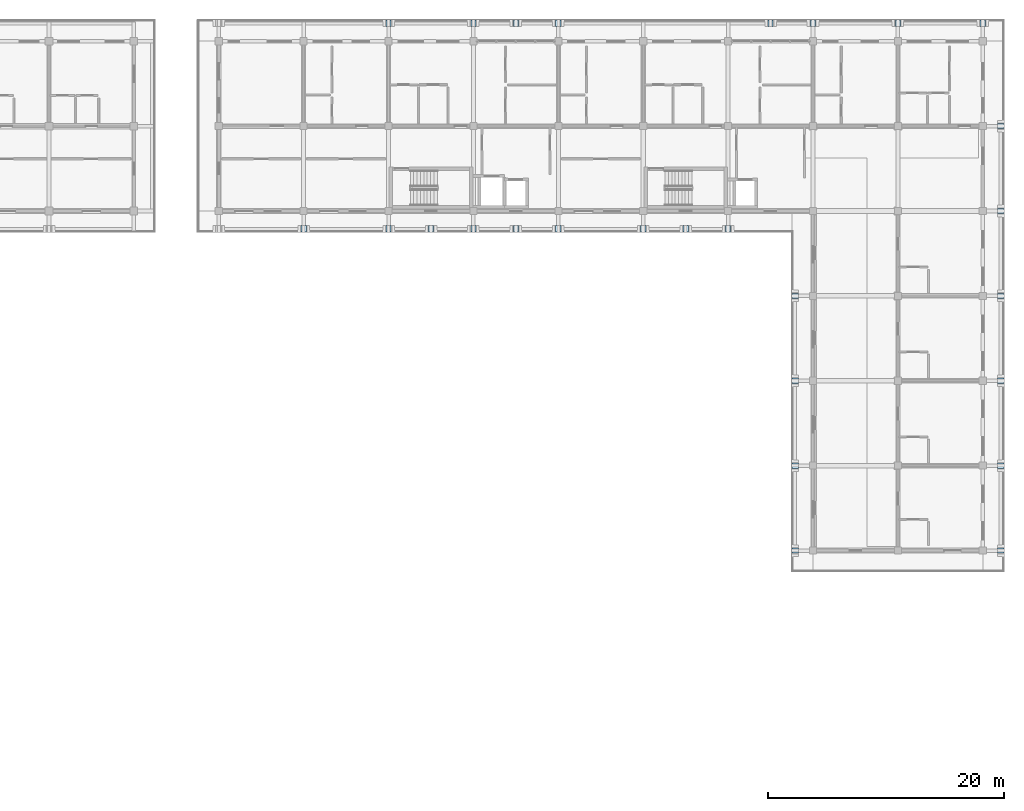
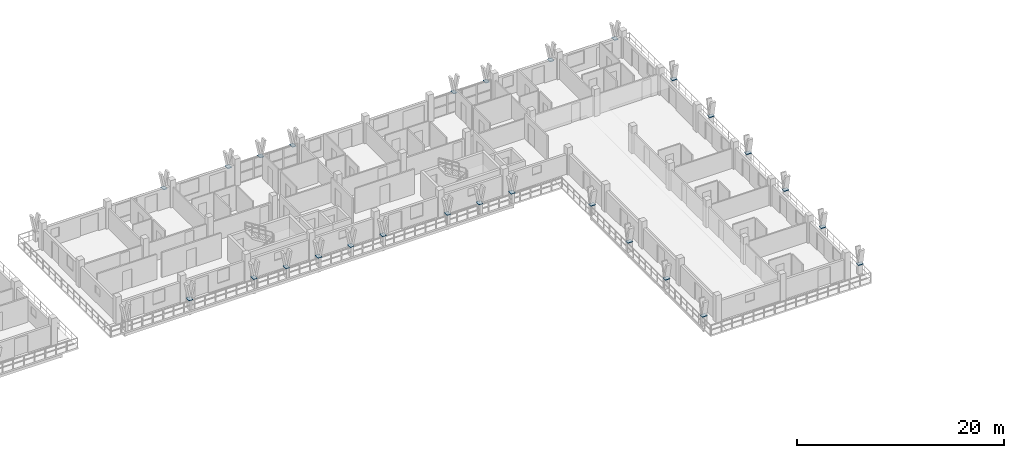
# One storey, part 39 of 78: 27 plates.
"""IFC4 building model written with IfcOpenShell, lengths in metres."""

from ifc_helpers import new_model, si_unit, direction, frame, origin, origin_2d, place, context, subcontext, project, spatial, rectangle, extrude, material, layer, layer_set, type_object, element, save


model = new_model("IFC4")

# Units and contexts
model_context = context("Model", 3, precision=1e-05, world=origin(), true_north=direction((0.0, 1.0)))
body_context = subcontext(model_context, "Body", "Model", "MODEL_VIEW")
ifc_project = project(units=[si_unit("LENGTHUNIT", "METRE"), si_unit("AREAUNIT", "SQUARE_METRE"), si_unit("VOLUMEUNIT", "CUBIC_METRE"), si_unit("PLANEANGLEUNIT", "RADIAN"), si_unit("MASSUNIT", "GRAM", prefix="KILO")], contexts=[model_context])

# Site, building, storey
site_placement = place(None, origin())
site = spatial("IfcSite", under=ifc_project, at=site_placement, CompositionType="ELEMENT")
building_placement = place(site_placement, origin())
building = spatial("IfcBuilding", under=site, at=building_placement, Name="Suanplinth Sawtooth Commons", CompositionType="ELEMENT")
storey_placement = place(building_placement, frame((0.0, 0.0, 15.39990234375)))
storey = spatial("IfcBuildingStorey", under=building, at=storey_placement, Name="L04", CompositionType="ELEMENT", Elevation=15.39990234375)

# Plates
ifc_material = material(Name="Pigmented precast concrete C40/50", Category="concrete")
ifc_layer = layer(ifc_material, 0.06005859375, Name="Precast Y-blade bifurcation node plate 60mm")
ifc_layer_set = layer_set([ifc_layer], Name="Pigmented precast concrete C40/50")
plate_type = type_object("IfcPlateType", Name="PL-04", PredefinedType="USERDEFINED", material=ifc_layer_set)
for number, where, z_axis, x_axis, name in (
    (1, (136.800048828125, 123.919921875, 1.1201171875), (0.0, 0.0, 1.0), (1.0, 0.0, 0.0), "Y-Blade Node Plate L04-B-N-02"),
    (2, (144.0, 123.919921875, 1.1201171875), (0.0, 0.0, 1.0), (1.0, 0.0, 0.0), "Y-Blade Node Plate L04-B-N-03"),
    (3, (147.60009765625, 123.919921875, 1.1201171875), (0.0, 0.0, 1.0), (1.0, 0.0, 0.0), "Y-Blade Node Plate L04-B-N-04"),
    (4, (151.199951171875, 123.919921875, 1.1201171875), (0.0, 0.0, 1.0), (1.0, 0.0, 0.0), "Y-Blade Node Plate L04-B-N-05"),
    (5, (169.199951171875, 123.919921875, 1.1201171875), (0.0, 0.0, 1.0), (1.0, 0.0, 0.0), "Y-Blade Node Plate L04-B-N-06"),
    (6, (172.800048828125, 123.919921875, 1.1201171875), (0.0, 0.0, 1.0), (1.0, 0.0, 0.0), "Y-Blade Node Plate L04-B-N-07"),
    (7, (180.0, 123.919921875, 1.1201171875), (0.0, 0.0, 1.0), (1.0, 0.0, 0.0), "Y-Blade Node Plate L04-B-N-08"),
    (8, (187.199951171875, 123.919921875, 1.1201171875), (0.0, 0.0, 1.0), (1.0, 0.0, 0.0), "Y-Blade Node Plate L04-B-N-09"),
    (9, (188.719970703125, 79.199951171875, 1.1201171875), (0.0, 0.0, 1.0), (0.0, 1.0, 0.0), "Y-Blade Node Plate L04-B-E-10"),
    (10, (188.719970703125, 86.39990234375, 1.1201171875), (0.0, 0.0, 1.0), (0.0, 1.0, 0.0), "Y-Blade Node Plate L04-B-E-11"),
    (11, (188.719970703125, 93.60009765625, 1.1201171875), (0.0, 0.0, 1.0), (0.0, 1.0, 0.0), "Y-Blade Node Plate L04-B-E-12"),
    (12, (188.719970703125, 100.800048828125, 1.1201171875), (0.0, 0.0, 1.0), (0.0, 1.0, 0.0), "Y-Blade Node Plate L04-B-E-13"),
    (13, (188.719970703125, 108.0, 1.1201171875), (0.0, 0.0, 1.0), (0.0, 1.0, 0.0), "Y-Blade Node Plate L04-B-E-14"),
    (14, (188.719970703125, 115.199951171875, 1.1201171875), (0.0, 0.0, 1.0), (0.0, 1.0, 0.0), "Y-Blade Node Plate L04-B-E-15"),
    (15, (129.60009765625, 106.47998046875, 1.1201171875), (0.0, 0.0, 1.0), (1.0, 0.0, 0.0), "Y-Blade Node Plate L04-B-SC-17"),
    (16, (136.800048828125, 106.47998046875, 1.1201171875), (0.0, 0.0, 1.0), (1.0, 0.0, 0.0), "Y-Blade Node Plate L04-B-SC-18"),
    (17, (140.39990234375, 106.47998046875, 1.1201171875), (0.0, 0.0, 1.0), (1.0, 0.0, 0.0), "Y-Blade Node Plate L04-B-SC-19"),
    (18, (144.0, 106.47998046875, 1.1201171875), (0.0, 0.0, 1.0), (1.0, 0.0, 0.0), "Y-Blade Node Plate L04-B-SC-20"),
    (19, (147.60009765625, 106.47998046875, 1.1201171875), (0.0, 0.0, 1.0), (1.0, 0.0, 0.0), "Y-Blade Node Plate L04-B-SC-21"),
    (20, (151.199951171875, 106.47998046875, 1.1201171875), (0.0, 0.0, 1.0), (1.0, 0.0, 0.0), "Y-Blade Node Plate L04-B-SC-22"),
    (21, (158.39990234375, 106.47998046875, 1.1201171875), (0.0, 0.0, 1.0), (1.0, 0.0, 0.0), "Y-Blade Node Plate L04-B-SC-23"),
    (22, (162.0, 106.47998046875, 1.1201171875), (0.0, 0.0, 1.0), (1.0, 0.0, 0.0), "Y-Blade Node Plate L04-B-SC-24"),
    (23, (165.60009765625, 106.47998046875, 1.1201171875), (0.0, 0.0, 1.0), (1.0, 0.0, 0.0), "Y-Blade Node Plate L04-B-SC-25"),
    (24, (171.280029296875, 79.199951171875, 1.1201171875), (0.0, 0.0, 1.0), (0.0, 1.0, 0.0), "Y-Blade Node Plate L04-B-WC-26"),
    (25, (171.280029296875, 86.39990234375, 1.1201171875), (0.0, 0.0, 1.0), (0.0, 1.0, 0.0), "Y-Blade Node Plate L04-B-WC-27"),
    (26, (171.280029296875, 93.60009765625, 1.1201171875), (0.0, 0.0, 1.0), (0.0, 1.0, 0.0), "Y-Blade Node Plate L04-B-WC-28"),
    (27, (171.280029296875, 100.800048828125, 1.1201171875), (0.0, 0.0, 1.0), (0.0, 1.0, 0.0), "Y-Blade Node Plate L04-B-WC-29"),
):
    element("IfcPlate", number, at=place(storey_placement, frame(where, z_axis=z_axis, x_axis=x_axis)), inside=storey, type_object=plate_type, Name=name, ObjectType="GUSSET PLATE", PredefinedType="USERDEFINED", context=body_context, shape_type="SweptSolid", body=[
        extrude(rectangle(XDim=0.43994140625, YDim=0.550048828125, at=origin_2d()), origin(), (0.0, 0.0, 1.0), 0.06005859375),
    ])

save(model, "model.ifc")
